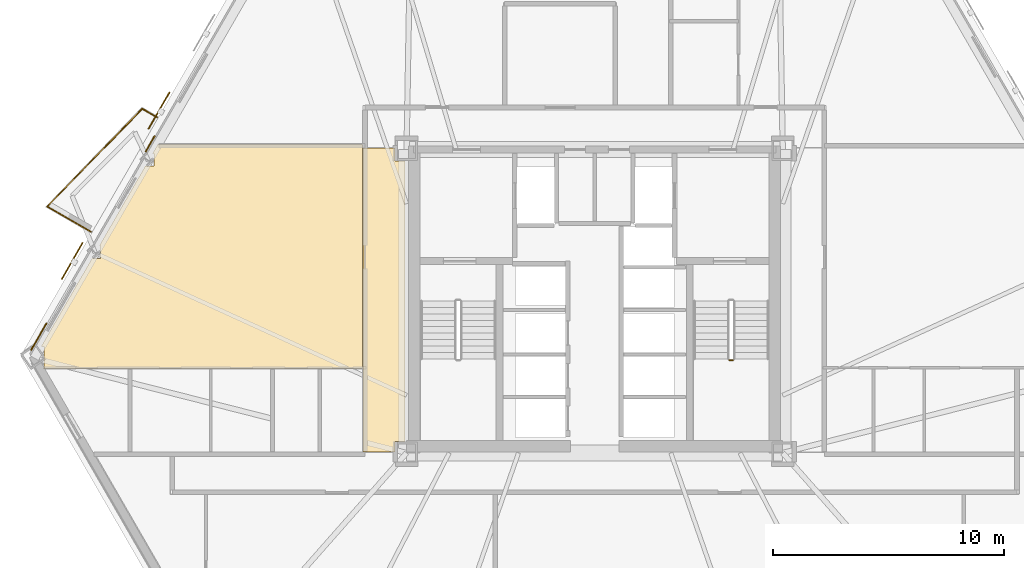
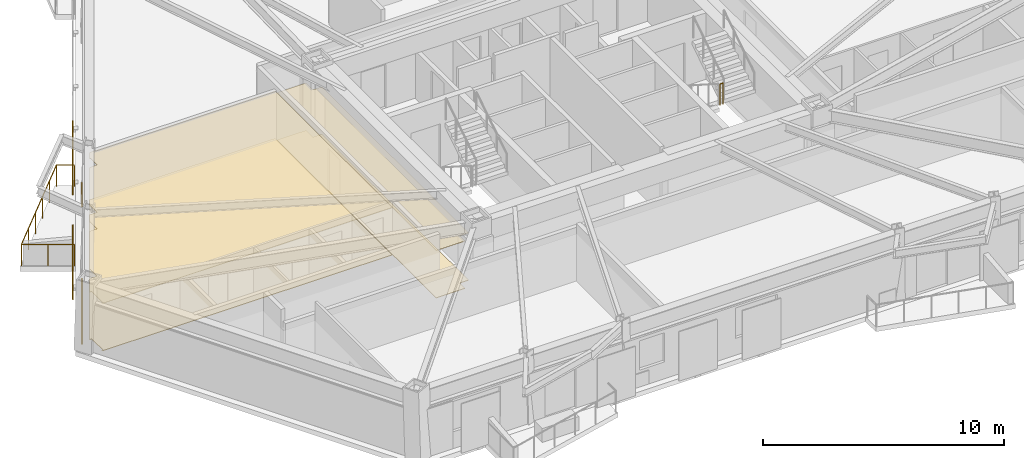
# One storey, part 10 of 12: 6 coverings, 4 railings, 2 shading devices.
"""IFC4 building model written with IfcOpenShell, lengths in metres."""

from ifc_helpers import new_model, si_unit, direction, frame, origin, origin_2d, place, context, subcontext, project, spatial, polyline, rectangle, circle, outline, extrude, material, layer, layer_set, type_object, element, save


model = new_model("IFC4")

# Units and contexts
model_context = context("Model", 3, precision=1e-05, world=origin(), true_north=direction((0.0, 1.0)))
body_context = subcontext(model_context, "Body", "Model", "MODEL_VIEW")
ifc_project = project(units=[si_unit("LENGTHUNIT", "METRE"), si_unit("AREAUNIT", "SQUARE_METRE"), si_unit("VOLUMEUNIT", "CUBIC_METRE"), si_unit("PLANEANGLEUNIT", "RADIAN"), si_unit("MASSUNIT", "GRAM", prefix="KILO")], contexts=[model_context])

# Site, building, storey
site_placement = place(None, origin())
site = spatial("IfcSite", under=ifc_project, at=site_placement, CompositionType="ELEMENT")
building_placement = place(site_placement, origin())
building = spatial("IfcBuilding", under=site, at=building_placement, Name="Oramaril Tower", CompositionType="ELEMENT")
storey_placement = place(building_placement, frame((0.0, 0.0, 30.89990234375)))
storey = spatial("IfcBuildingStorey", under=building, at=storey_placement, Name="L07", CompositionType="ELEMENT", Elevation=30.89990234375)

# Coverings
ifc_material_1 = material(Name="Mineral Fibre Acoustic Ceiling")
ifc_layer_1 = layer(ifc_material_1, 0.02001953125)
ifc_layer_set_1 = layer_set([ifc_layer_1], Name="CVT-CEIL")
covering_type_1 = type_object("IfcCoveringType", Name="CVT-CEIL", PredefinedType="CEILING", material=ifc_layer_set_1)
covering_1_placement = place(storey_placement, frame((0.0, 0.0, 2.400146484375)))
element("IfcCovering", 1, at=covering_1_placement, inside=storey, type_object=covering_type_1, Name="L07 Acoustic Suspended Ceiling 3", PredefinedType="CEILING", context=body_context, shape_type="SweptSolid", body=[
    extrude(outline(polyline([(28.85498046875, 23.655029296875), (29.280029296875, 23.655029296875), (29.280029296875, 11.4951171875), (28.85498046875, 11.4951171875), (28.85498046875, 11.050048828125), (27.469970703125, 11.050048828125), (27.469970703125, 24.219970703125), (28.85498046875, 24.219970703125), (28.85498046875, 23.655029296875)])), origin(), (0.0, 0.0, 1.0), 0.02001953125),
])
covering_2_placement = place(storey_placement, frame((0.0, 0.0, 2.400146484375)))
element("IfcCovering", 2, at=covering_2_placement, inside=storey, type_object=covering_type_1, Name="L07 Acoustic Suspended Ceiling 10", PredefinedType="CEILING", context=body_context, shape_type="SweptSolid", body=[
    extrude(outline(polyline([(13.599609375, 14.651611328125), (13.578369140625, 14.6884765625), (13.641845703125, 14.6884765625), (13.641845703125, 15.623779296875), (13.523193359375, 15.623779296875), (15.722900390625, 19.43359375), (16.0927734375, 19.43359375), (16.0927734375, 19.989013671875), (16.043701171875, 19.989013671875), (18.027587890625, 23.42529296875), (18.3974609375, 23.42529296875), (18.3974609375, 23.96875), (18.34130859375, 23.96875), (18.568359375, 24.362060546875), (27.449951171875, 24.362060546875), (27.449951171875, 24.239990234375), (27.4501953125, 24.238037109375), (27.450439453125, 24.236083984375), (27.450927734375, 24.234130859375), (27.451416015625, 24.232421875), (27.452392578125, 24.230712890625), (27.45263671875, 24.22998046875), (27.452392578125, 24.2294921875), (27.451416015625, 24.227783203125), (27.450927734375, 24.225830078125), (27.450439453125, 24.223876953125), (27.4501953125, 24.221923828125), (27.449951171875, 24.219970703125), (27.449951171875, 14.651611328125), (13.599609375, 14.651611328125)])), origin(), (0.0, 0.0, 1.0), 0.02001953125),
])
ifc_material_2 = material(Name="Warm Cream Limestone", Category="masonry")
ifc_layer_2 = layer(ifc_material_2, 0.050048828125)
ifc_layer_set_2 = layer_set([ifc_layer_2], Name="CVT-CLD")
covering_type_2 = type_object("IfcCoveringType", Name="CVT-CLD", PredefinedType="CLADDING", material=ifc_layer_set_2)
covering_3_placement = place(storey_placement, frame((13.4140625, 16.036376953125, 0.0400390625), z_axis=(0.0, 0.0, 1.0), x_axis=(-0.5, -0.866025403784, 0.0)))
element("IfcCovering", 3, at=covering_3_placement, inside=storey, type_object=covering_type_2, Name="L07 Warm Cream Limestone Cladding", PredefinedType="CLADDING", context=body_context, shape_type="SweptSolid", body=[
    extrude(rectangle(XDim=1.35009765625, YDim=0.050048828125, at=origin_2d()), origin(), (0.0, 0.0, 1.0), 2.4140625),
])
covering_4_placement = place(storey_placement, frame((18.240966796875, 24.396728515625, 0.0400390625), z_axis=(0.0, 0.0, 1.0), x_axis=(-0.5, -0.866025403784, 0.0)))
element("IfcCovering", 4, at=covering_4_placement, inside=storey, type_object=covering_type_2, Name="L07 Warm Cream Limestone Spandrel Cladding", PredefinedType="CLADDING", context=body_context, shape_type="SweptSolid", body=[
    extrude(rectangle(XDim=0.800048828125, YDim=0.050048828125, at=origin_2d()), origin(), (0.0, 0.0, 1.0), 0.679931640625),
])
ifc_material_3 = material(Name="Honed Quartzite Stone Flooring", Category="masonry")
ifc_layer_3 = layer(ifc_material_3, 0.02490234375)
ifc_layer_set_3 = layer_set([ifc_layer_3], Name="CVT-FLR")
covering_type_3 = type_object("IfcCoveringType", Name="CVT-FLR", PredefinedType="FLOORING", material=ifc_layer_set_3)
covering_5_placement = place(storey_placement, origin())
element("IfcCovering", 5, at=covering_5_placement, inside=storey, type_object=covering_type_3, Name="L07 Honed Stone Floor Finish 3", PredefinedType="FLOORING", context=body_context, shape_type="SweptSolid", body=[
    extrude(outline(polyline([(28.85498046875, 23.655029296875), (29.280029296875, 23.655029296875), (29.280029296875, 11.4951171875), (28.85498046875, 11.4951171875), (28.85498046875, 11.050048828125), (27.469970703125, 11.050048828125), (27.469970703125, 24.219970703125), (28.85498046875, 24.219970703125), (28.85498046875, 23.655029296875)])), origin(), (0.0, 0.0, 1.0), 0.025146484375),
])
covering_6_placement = place(storey_placement, origin())
element("IfcCovering", 6, at=covering_6_placement, inside=storey, type_object=covering_type_3, Name="L07 Honed Stone Floor Finish 10", PredefinedType="FLOORING", context=body_context, shape_type="SweptSolid", body=[
    extrude(outline(polyline([(13.599609375, 14.651611328125), (13.578369140625, 14.6884765625), (13.641845703125, 14.6884765625), (13.641845703125, 15.623779296875), (13.523193359375, 15.623779296875), (15.722900390625, 19.43359375), (16.0927734375, 19.43359375), (16.0927734375, 19.989013671875), (16.043701171875, 19.989013671875), (18.027587890625, 23.42529296875), (18.3974609375, 23.42529296875), (18.3974609375, 23.96875), (18.34130859375, 23.96875), (18.568359375, 24.362060546875), (27.449951171875, 24.362060546875), (27.449951171875, 24.239990234375), (27.4501953125, 24.238037109375), (27.450439453125, 24.236083984375), (27.450927734375, 24.234130859375), (27.451416015625, 24.232421875), (27.452392578125, 24.230712890625), (27.45263671875, 24.22998046875), (27.452392578125, 24.2294921875), (27.451416015625, 24.227783203125), (27.450927734375, 24.225830078125), (27.450439453125, 24.223876953125), (27.4501953125, 24.221923828125), (27.449951171875, 24.219970703125), (27.449951171875, 14.651611328125), (13.599609375, 14.651611328125)])), origin(), (0.0, 0.0, 1.0), 0.025146484375),
])

# Railings
ifc_material_4 = material(Name="Stainless Steel 316L", Category="steel")
railing_type = type_object("IfcRailingType", Name="RLT-GRD", PredefinedType="GUARDRAIL", material=ifc_material_4)
railing_1_placement = place(storey_placement, frame((15.67578125, 20.583984375, 0.0)))
element("IfcRailing", 7, at=railing_1_placement, inside=storey, type_object=railing_type, Name="L07 Balcony Guardrail L07-BAL-NW2.1", PredefinedType="GUARDRAIL", context=body_context, shape_type="SweptSolid", body=[
    extrude(circle(Radius=0.02392578125, at=origin_2d()), frame((0.0, 0.0, 1.076171875), z_axis=(-0.865972267571, 0.50009202333, 0.0), x_axis=(-0.50009202333, -0.865972267571, 0.0)), (0.0, 0.0, 1.0), 2.19189453125),
    extrude(circle(Radius=0.02099609375, at=origin_2d()), origin(), (0.0, 0.0, 1.0), 1.052001953125),
    extrude(circle(Radius=0.02099609375, at=origin_2d()), frame((-0.94921875, 0.548095703125, 0.0)), (0.0, 0.0, 1.0), 1.052001953125),
    extrude(circle(Radius=0.02099609375, at=origin_2d()), frame((-1.898193359375, 1.09619140625, 0.0)), (0.0, 0.0, 1.0), 1.052001953125),
])
railing_2_placement = place(storey_placement, frame((13.777587890625, 21.68017578125, 0.0)))
element("IfcRailing", 8, at=railing_2_placement, inside=storey, type_object=railing_type, Name="L07 Balcony Guardrail L07-BAL-NW2.2", PredefinedType="GUARDRAIL", context=body_context, shape_type="SweptSolid", body=[
    extrude(circle(Radius=0.02392578125, at=origin_2d()), frame((0.0, 0.0, 1.076171875), z_axis=(0.697186331907, 0.716889962688, 0.0), x_axis=(-0.716889962688, 0.697186331907, 0.0)), (0.0, 0.0, 1.0), 5.910400390625),
    extrude(circle(Radius=0.02099609375, at=origin_2d()), origin(), (0.0, 0.0, 1.0), 1.052001953125),
    extrude(circle(Radius=0.02099609375, at=origin_2d()), frame((0.82421875, 0.847412109375, 0.0)), (0.0, 0.0, 1.0), 1.052001953125),
    extrude(circle(Radius=0.02099609375, at=origin_2d()), frame((1.648193359375, 1.69482421875, 0.0)), (0.0, 0.0, 1.0), 1.052001953125),
    extrude(circle(Radius=0.02099609375, at=origin_2d()), frame((2.472412109375, 2.542236328125, 0.0)), (0.0, 0.0, 1.0), 1.052001953125),
    extrude(circle(Radius=0.02099609375, at=origin_2d()), frame((3.29638671875, 3.3896484375, 0.0)), (0.0, 0.0, 1.0), 1.052001953125),
    extrude(circle(Radius=0.02099609375, at=origin_2d()), frame((4.12060546875, 4.237060546875, 0.0)), (0.0, 0.0, 1.0), 1.052001953125),
])
railing_3_placement = place(storey_placement, frame((17.898193359375, 25.917236328125, 0.0)))
element("IfcRailing", 9, at=railing_3_placement, inside=storey, type_object=railing_type, Name="L07 Balcony Guardrail L07-BAL-NW2.3", PredefinedType="GUARDRAIL", context=body_context, shape_type="SweptSolid", body=[
    extrude(circle(Radius=0.02392578125, at=origin_2d()), frame((0.0, 0.0, 1.076171875), z_axis=(0.866108878364, -0.499855389907, 0.0), x_axis=(0.499855389907, 0.866108878364, 0.0)), (0.0, 0.0, 1.0), 0.741943359375),
    extrude(circle(Radius=0.02099609375, at=origin_2d()), origin(), (0.0, 0.0, 1.0), 1.052001953125),
    extrude(circle(Radius=0.02099609375, at=origin_2d()), frame((0.642578125, -0.370849609375, 0.0)), (0.0, 0.0, 1.0), 1.052001953125),
])
railing_4_placement = place(storey_placement, frame((43.340087890625, 15.02001953125, 1.800048828125)))
element("IfcRailing", 10, at=railing_4_placement, inside=storey, type_object=railing_type, Name="L07 ST-2 stair guard 2", PredefinedType="GUARDRAIL", context=body_context, shape_type="SweptSolid", body=[
    extrude(circle(Radius=0.02392578125, at=origin_2d()), frame((0.0, 0.0, 1.076171875), z_axis=(1.0, 0.0, 0.0), x_axis=(0.0, 1.0, 0.0)), (0.0, 0.0, 1.0), 0.14990234375),
    extrude(circle(Radius=0.02099609375, at=origin_2d()), origin(), (0.0, 0.0, 1.0), 1.052001953125),
    extrude(circle(Radius=0.02099609375, at=origin_2d()), frame((0.14990234375, 0.0, 0.0)), (0.0, 0.0, 1.0), 1.052001953125),
])

# Shading devices
for number, where, z_axis, x_axis, name in (
    (11, (14.861083984375, 19.317138671875, -0.02001953125), (0.0, 0.0, 1.0), (-0.5, -0.866025403784, 0.0), "L07 Perforated Ceramic Solar Screen"),
    (12, (18.625, 25.836181640625, -0.02001953125), (0.0, 0.0, 1.0), (-0.5, -0.866025403784, 0.0), "L07 Perforated Ceramic Solar Screen"),
):
    element("IfcShadingDevice", number, at=place(storey_placement, frame(where, z_axis=z_axis, x_axis=x_axis)), inside=storey, Name=name, ObjectType="SCREEN", PredefinedType="USERDEFINED", context=body_context, shape_type="SweptSolid", body=[
        extrude(rectangle(XDim=1.8330078125, YDim=0.050048828125, at=origin_2d()), origin(), (0.0, 0.0, 1.0), 2.493896484375),
    ])

save(model, "model.ifc")
